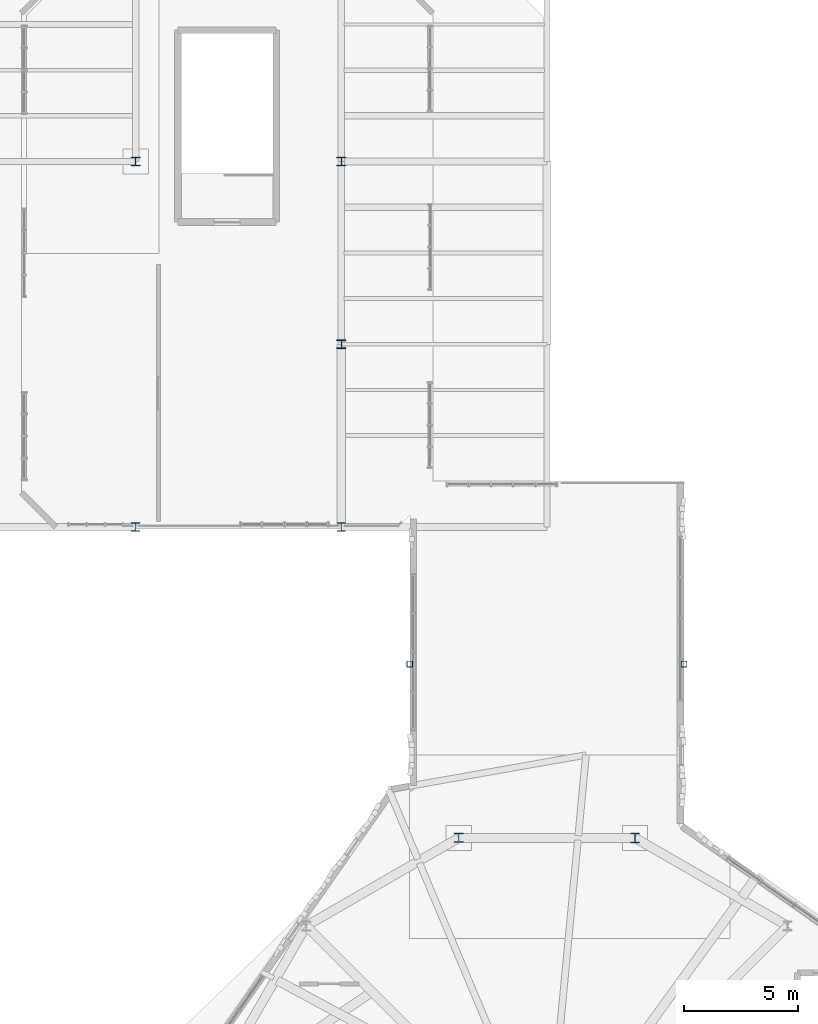
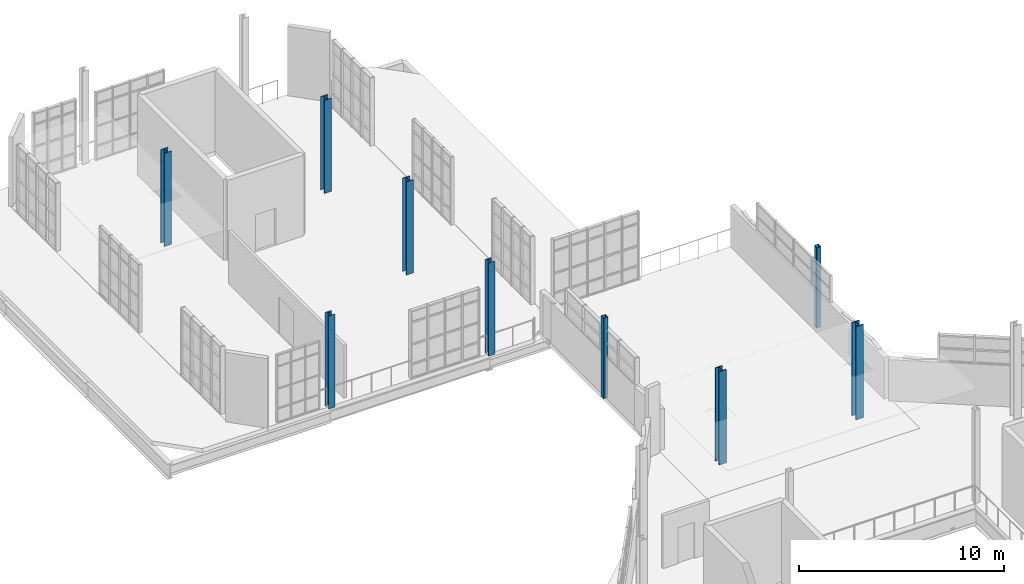
# One storey, part 2 of 36: 9 columns.
"""IFC4 building model written with IfcOpenShell, lengths in metres."""

from ifc_helpers import new_model, si_unit, direction, frame, origin, origin_2d, place, context, subcontext, project, spatial, hollow_rectangle, i_section, extrude, material, material_profile, profile_set, type_object, element, save


model = new_model("IFC4")

# Units and contexts
model_context = context("Model", 3, precision=1e-05, world=origin(), true_north=direction((0.0, 1.0)))
body_context = subcontext(model_context, "Body", "Model", "MODEL_VIEW")
ifc_project = project(units=[si_unit("LENGTHUNIT", "METRE"), si_unit("AREAUNIT", "SQUARE_METRE"), si_unit("VOLUMEUNIT", "CUBIC_METRE"), si_unit("PLANEANGLEUNIT", "RADIAN"), si_unit("MASSUNIT", "GRAM", prefix="KILO"), si_unit("THERMODYNAMICTEMPERATUREUNIT", "KELVIN"), si_unit("POWERUNIT", "WATT")], contexts=[model_context])

# Site, building, storey
site_placement = place(None, origin())
site = spatial("IfcSite", under=ifc_project, at=site_placement, CompositionType="ELEMENT")
building_placement = place(site_placement, origin())
building = spatial("IfcBuilding", under=site, at=building_placement, Name="Zelmaris Science Centre", CompositionType="ELEMENT")
storey_placement = place(building_placement, frame((0.0, 0.0, 25.199951171875)))
storey = spatial("IfcBuildingStorey", under=building, at=storey_placement, Name="L05", CompositionType="ELEMENT", Elevation=25.199951171875)

# Columns
ifc_material_1 = material(Name="Steel ASTM A992 Grade 50", Category="steel")
ifc_material_profile_1 = material_profile(ifc_material_1, i_section(OverallWidth=0.412109375, OverallDepth=0.43408203125, WebThickness=0.035888671875, FlangeThickness=0.044189453125, FilletRadius=0.014892578125, at=origin_2d()), Name="W14X311")
ifc_profile_set_1 = profile_set([ifc_material_profile_1], Name="Steel ASTM A992 Grade 50")
column_type_1 = type_object("IfcColumnType", Name="Column C-01 W14X311", PredefinedType="COLUMN", material=ifc_profile_set_1)
column_1_placement = place(storey_placement, frame((84.8564453125, 50.392333984375, 0.0), z_axis=(0.0, 0.0, 1.0), x_axis=(1.0, 0.0, 0.0)))
element("IfcColumn", 1, at=column_1_placement, inside=storey, type_object=column_type_1, Name="Column V2-MC03 L05", PredefinedType="COLUMN", context=body_context, shape_type="SweptSolid", body=[
    extrude(i_section(OverallWidth=0.412109375, OverallDepth=0.43408203125, WebThickness=0.035888671875, FlangeThickness=0.044189453125, FilletRadius=0.014892578125, at=origin_2d()), origin(), (0.0, 0.0, 1.0), 5.550048828125),
])
ifc_material_profile_2 = material_profile(ifc_material_1, i_section(OverallWidth=0.406005859375, OverallDepth=0.4169921875, WebThickness=0.02978515625, FlangeThickness=0.04443359375, FilletRadius=0.014892578125, at=origin_2d()), Name="W14X257")
ifc_profile_set_2 = profile_set([ifc_material_profile_2], Name="Steel ASTM A992 Grade 50")
column_type_2 = type_object("IfcColumnType", Name="Column C-02 W14X257", PredefinedType="COLUMN", material=ifc_profile_set_2)
column_2_placement = place(storey_placement, frame((77.1435546875, 50.392333984375, 0.0), z_axis=(0.0, 0.0, 1.0), x_axis=(1.0, 0.0, 0.0)))
element("IfcColumn", 2, at=column_2_placement, inside=storey, type_object=column_type_2, Name="Column V2-MC04 L05", PredefinedType="COLUMN", context=body_context, shape_type="SweptSolid", body=[
    extrude(i_section(OverallWidth=0.406005859375, OverallDepth=0.4169921875, WebThickness=0.02978515625, FlangeThickness=0.04443359375, FilletRadius=0.014892578125, at=origin_2d()), origin(), (0.0, 0.0, 1.0), 5.550048828125),
])
ifc_material_profile_3 = material_profile(ifc_material_1, i_section(OverallWidth=0.39892578125, OverallDepth=0.385986328125, WebThickness=0.02099609375, FlangeThickness=0.033203125, FilletRadius=0.014892578125, at=origin_2d()), Name="W14X176")
ifc_profile_set_3 = profile_set([ifc_material_profile_3], Name="Steel ASTM A992 Grade 50")
column_type_3 = type_object("IfcColumnType", Name="Column C-04 W14X176", PredefinedType="COLUMN", material=ifc_profile_set_3)
for number, where, z_axis, x_axis, name in (
    (3, (63.0, 80.0, 0.0), (0.0, 0.0, 1.0), (1.0, 0.0, 0.0), "Column V5-C-63-80 L05"),
    (4, (72.0, 72.0, 0.0), (0.0, 0.0, 1.0), (1.0, 0.0, 0.0), "Column V5-C-72-72 L05"),
    (5, (72.0, 80.0, 0.0), (0.0, 0.0, 1.0), (1.0, 0.0, 0.0), "Column V5-C-72-80 L05"),
):
    element("IfcColumn", number, at=place(storey_placement, frame(where, z_axis=z_axis, x_axis=x_axis)), inside=storey, type_object=column_type_3, Name=name, PredefinedType="COLUMN", context=body_context, shape_type="SweptSolid", body=[
        extrude(i_section(OverallWidth=0.39892578125, OverallDepth=0.385986328125, WebThickness=0.02099609375, FlangeThickness=0.033203125, FilletRadius=0.014892578125, at=origin_2d()), origin(), (0.0, 0.0, 1.0), 5.550048828125),
    ])
ifc_material_profile_4 = material_profile(ifc_material_1, i_section(OverallWidth=0.367919921875, OverallDepth=0.35595703125, WebThickness=0.01123046875, FlangeThickness=0.01806640625, FilletRadius=0.014892578125, at=origin_2d()), Name="W14X90")
ifc_profile_set_4 = profile_set([ifc_material_profile_4], Name="Steel ASTM A992 Grade 50")
column_type_4 = type_object("IfcColumnType", Name="Column C-07 W14X90", PredefinedType="COLUMN", material=ifc_profile_set_4)
for number, where, z_axis, x_axis, name in (
    (6, (63.0, 64.0, 0.0), (0.0, 0.0, 1.0), (1.0, 0.0, 0.0), "Column V5-C-63-64 L05"),
    (7, (72.0, 64.0, 0.0), (0.0, 0.0, 1.0), (1.0, 0.0, 0.0), "Column V5-C-72-64 L05"),
):
    element("IfcColumn", number, at=place(storey_placement, frame(where, z_axis=z_axis, x_axis=x_axis)), inside=storey, type_object=column_type_4, Name=name, PredefinedType="COLUMN", context=body_context, shape_type="SweptSolid", body=[
        extrude(i_section(OverallWidth=0.367919921875, OverallDepth=0.35595703125, WebThickness=0.01123046875, FlangeThickness=0.01806640625, FilletRadius=0.014892578125, at=origin_2d()), origin(), (0.0, 0.0, 1.0), 5.550048828125),
    ])
ifc_material_2 = material(Name="Steel ASTM A500 Grade C", Category="steel")
ifc_material_profile_5 = material_profile(ifc_material_2, hollow_rectangle(XDim=0.25390625, YDim=0.25390625, WallThickness=0.01171875, InnerFilletRadius=0.01171875, OuterFilletRadius=0.023681640625, at=origin_2d()), Name="HSS254X254X13")
ifc_profile_set_5 = profile_set([ifc_material_profile_5], Name="Steel ASTM A500 Grade C")
column_type_5 = type_object("IfcColumnType", Name="Column C-11 HSS254X254X13", PredefinedType="COLUMN", material=ifc_profile_set_5)
for number, where, z_axis, x_axis, name in (
    (8, (75.0, 58.0, 0.0), (0.0, 0.0, 1.0), (1.0, 0.0, 0.0), "Column LK-N-75 L05"),
    (9, (87.0, 58.0, 0.0), (0.0, 0.0, 1.0), (1.0, 0.0, 0.0), "Column LK-N-87 L05"),
):
    element("IfcColumn", number, at=place(storey_placement, frame(where, z_axis=z_axis, x_axis=x_axis)), inside=storey, type_object=column_type_5, Name=name, PredefinedType="COLUMN", context=body_context, shape_type="SweptSolid", body=[
        extrude(hollow_rectangle(XDim=0.25390625, YDim=0.25390625, WallThickness=0.01171875, InnerFilletRadius=0.01171875, OuterFilletRadius=0.023681640625, at=origin_2d()), origin(), (0.0, 0.0, 1.0), 4.800048828125),
    ])

save(model, "model.ifc")
